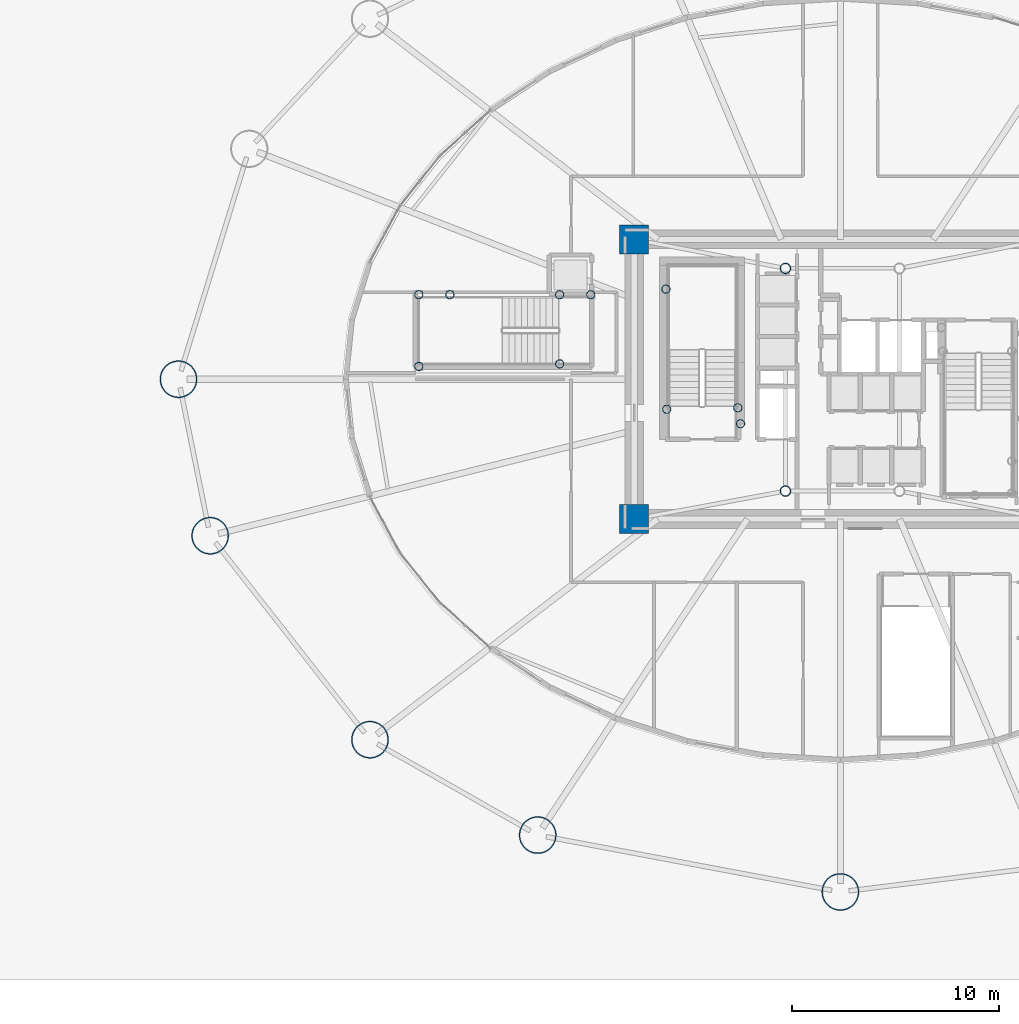
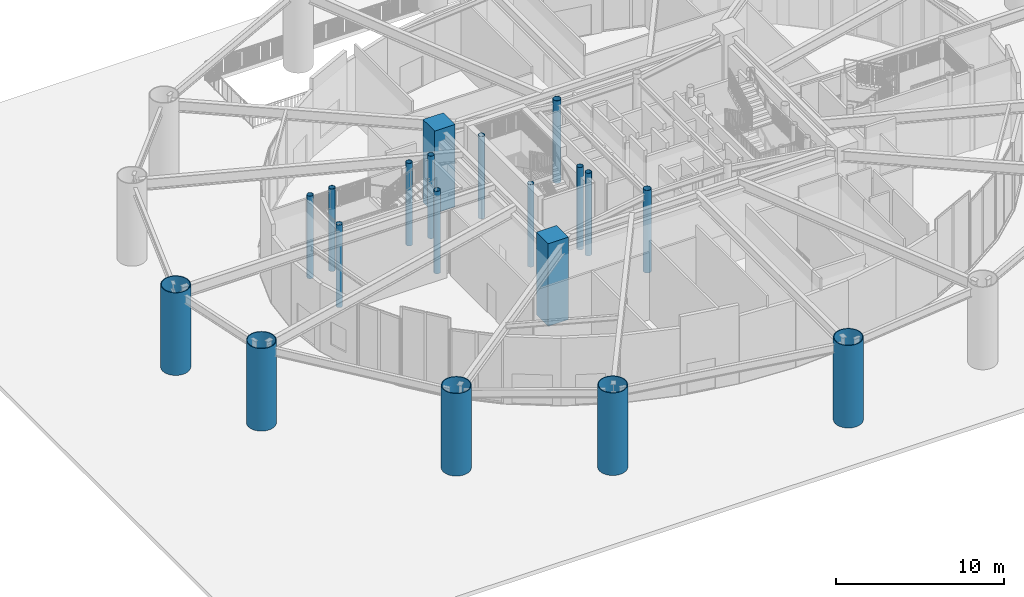
# One storey, part 1 of 46: 19 columns.
"""IFC4 building model written with IfcOpenShell, lengths in metres."""

from ifc_helpers import new_model, si_unit, direction, frame, origin, origin_2d, place, context, subcontext, project, spatial, rectangle, hollow_circle, extrude, material, material_profile, profile_set, type_object, element, save


model = new_model("IFC4")

# Units and contexts
model_context = context("Model", 3, precision=1e-05, world=origin(), true_north=direction((0.0, 1.0)))
body_context = subcontext(model_context, "Body", "Model", "MODEL_VIEW")
ifc_project = project(units=[si_unit("LENGTHUNIT", "METRE"), si_unit("AREAUNIT", "SQUARE_METRE"), si_unit("VOLUMEUNIT", "CUBIC_METRE"), si_unit("PLANEANGLEUNIT", "RADIAN"), si_unit("MASSUNIT", "GRAM", prefix="KILO")], contexts=[model_context])

# Site, building, storey
site_placement = place(None, origin())
site = spatial("IfcSite", under=ifc_project, at=site_placement, CompositionType="ELEMENT")
building_placement = place(site_placement, origin())
building = spatial("IfcBuilding", under=site, at=building_placement, Name="Linh Dai School and Residence Tower", CompositionType="ELEMENT")
storey_placement = place(building_placement, origin())
storey = spatial("IfcBuildingStorey", under=building, at=storey_placement, Name="L00", CompositionType="ELEMENT", Elevation=0.0)

# Columns
ifc_material_1 = material(Name="Concrete B60 (C50/60)", Category="concrete")
ifc_material_profile_1 = material_profile(ifc_material_1, rectangle(XDim=1.39990234375, YDim=1.39990234375, at=origin_2d()), Name="RC 1400x1400")
ifc_profile_set_1 = profile_set([ifc_material_profile_1], Name="Concrete B60 (C50/60)")
column_type_1 = type_object("IfcColumnType", Name="COL-CC1", PredefinedType="COLUMN", material=ifc_profile_set_1)
for number, where, z_axis, x_axis, name in (
    (1, (26.050048828125, 20.25, 0.0), (0.0, 0.0, 1.0), (1.0, 0.0, 0.0), "L00 Core Corner Pier CC1"),
    (2, (26.050048828125, 33.75, 0.0), (0.0, 0.0, 1.0), (1.0, 0.0, 0.0), "L00 Core Corner Pier CC4"),
):
    element("IfcColumn", number, at=place(storey_placement, frame(where, z_axis=z_axis, x_axis=x_axis)), inside=storey, type_object=column_type_1, Name=name, PredefinedType="COLUMN", context=body_context, shape_type="SweptSolid", body=[
        extrude(rectangle(XDim=1.39990234375, YDim=1.39990234375, at=origin_2d()), origin(), (0.0, 0.0, 1.0), 6.0),
    ])
ifc_material_2 = material(Name="Structural Steel S355JR", Category="steel")
ifc_material_profile_2 = material_profile(ifc_material_2, hollow_circle(Radius=0.203125, WallThickness=0.01611328125, at=origin_2d()), Name="CHS 406.4x16")
ifc_profile_set_2 = profile_set([ifc_material_profile_2], Name="Structural Steel S355JR")
column_type_2 = type_object("IfcColumnType", Name="COL-EC", PredefinedType="COLUMN", material=ifc_profile_set_2)
for number, where, z_axis, x_axis, name in (
    (3, (27.580078125, 31.35009765625, 0.0), (0.0, 0.0, 1.0), (1.0, 0.0, 0.0), "L00 Stair Shaft Landing Support Pier ST1NW"),
    (4, (31.050048828125, 25.6201171875, 0.0), (0.0, 0.0, 1.0), (1.0, 0.0, 0.0), "L00 Stair Shaft Landing Support Pier ST1SE"),
    (5, (31.179931640625, 24.85009765625, 0.0), (0.0, 0.0, 1.0), (1.0, 0.0, 0.0), "L00 Stair Shaft Landing Support Pier ST1SM"),
    (6, (27.6201171875, 25.550048828125, 0.0), (0.0, 0.0, 1.0), (1.0, 0.0, 0.0), "L00 Stair Shaft Landing Support Pier ST1SW"),
    (7, (15.64990234375, 27.6201171875, 0.0), (0.0, 0.0, 1.0), (1.0, 0.0, 0.0), "L00 Stair Shaft Landing Support Pier STS1SW"),
    (8, (15.64990234375, 31.080078125, 0.0), (0.0, 0.0, 1.0), (1.0, 0.0, 0.0), "L00 Stair Shaft Landing Support Pier STS1NW"),
    (9, (17.14990234375, 31.080078125, 0.0), (0.0, 0.0, 1.0), (1.0, 0.0, 0.0), "L00 Stair Shaft Landing Support Pier STS1ME"),
    (10, (22.449951171875, 27.739990234375, 0.0), (0.0, 0.0, 1.0), (1.0, 0.0, 0.0), "L00 Stair Shaft Landing Support Pier STS1L2S"),
    (11, (22.449951171875, 31.080078125, 0.0), (0.0, 0.0, 1.0), (1.0, 0.0, 0.0), "L00 Stair Shaft Landing Support Pier STS1L2N"),
    (12, (23.949951171875, 31.080078125, 0.0), (0.0, 0.0, 1.0), (1.0, 0.0, 0.0), "L00 Stair Shaft Landing Support Pier STS1L2E"),
):
    element("IfcColumn", number, at=place(storey_placement, frame(where, z_axis=z_axis, x_axis=x_axis)), inside=storey, type_object=column_type_2, Name=name, PredefinedType="COLUMN", context=body_context, shape_type="SweptSolid", body=[
        extrude(hollow_circle(Radius=0.203125, WallThickness=0.01611328125, at=origin_2d()), origin(), (0.0, 0.0, 1.0), 6.0),
    ])
ifc_material_profile_3 = material_profile(ifc_material_2, hollow_circle(Radius=0.89990234375, WallThickness=0.050048828125, at=origin_2d()), Name="CHS 1800x50")
ifc_profile_set_3 = profile_set([ifc_material_profile_3], Name="Structural Steel S355JR")
column_type_3 = type_object("IfcColumnType", Name="COL-MC1", PredefinedType="COLUMN", material=ifc_profile_set_3)
for number, where, z_axis, x_axis, name in (
    (13, (4.050048828125, 27.0, 0.0), (0.0, 0.0, 1.0), (1.0, 0.0, 0.0), "L00 Perimeter CFT Mega-Column MC09"),
    (14, (5.57958984375, 19.444580078125, 0.0), (0.0, 0.0, 1.0), (1.0, 0.0, 0.0), "L00 Perimeter CFT Mega-Column MC10"),
    (15, (13.294677734375, 9.599365234375, 0.0), (0.0, 0.0, 1.0), (1.0, 0.0, 0.0), "L00 Perimeter CFT Mega-Column MC11"),
    (16, (21.390869140625, 4.994873046875, 0.0), (0.0, 0.0, 1.0), (1.0, 0.0, 0.0), "L00 Perimeter CFT Mega-Column MC12"),
    (17, (36.0, 2.25, 0.0), (0.0, 0.0, 1.0), (1.0, 0.0, 0.0), "L00 Perimeter CFT Mega-Column MC13"),
):
    element("IfcColumn", number, at=place(storey_placement, frame(where, z_axis=z_axis, x_axis=x_axis)), inside=storey, type_object=column_type_3, Name=name, PredefinedType="COLUMN", context=body_context, shape_type="SweptSolid", body=[
        extrude(hollow_circle(Radius=0.89990234375, WallThickness=0.050048828125, at=origin_2d()), origin(), (0.0, 0.0, 1.0), 6.0),
    ])
ifc_material_profile_4 = material_profile(ifc_material_2, hollow_circle(Radius=0.25390625, WallThickness=0.02001953125, at=origin_2d()), Name="CHS 508x20")
ifc_profile_set_4 = profile_set([ifc_material_profile_4], Name="Structural Steel S355JR")
column_type_4 = type_object("IfcColumnType", Name="COL-MCP", PredefinedType="COLUMN", material=ifc_profile_set_4)
for number, where, z_axis, x_axis, name in (
    (18, (33.35009765625, 21.60009765625, 0.0), (0.0, 0.0, 1.0), (1.0, 0.0, 0.0), "L00 Core Mast Support Pier MCP1"),
    (19, (33.35009765625, 32.35009765625, 0.0), (0.0, 0.0, 1.0), (1.0, 0.0, 0.0), "L00 Core Mast Support Pier MCP4"),
):
    element("IfcColumn", number, at=place(storey_placement, frame(where, z_axis=z_axis, x_axis=x_axis)), inside=storey, type_object=column_type_4, Name=name, PredefinedType="COLUMN", context=body_context, shape_type="SweptSolid", body=[
        extrude(hollow_circle(Radius=0.25390625, WallThickness=0.02001953125, at=origin_2d()), origin(), (0.0, 0.0, 1.0), 6.0),
    ])

save(model, "model.ifc")
